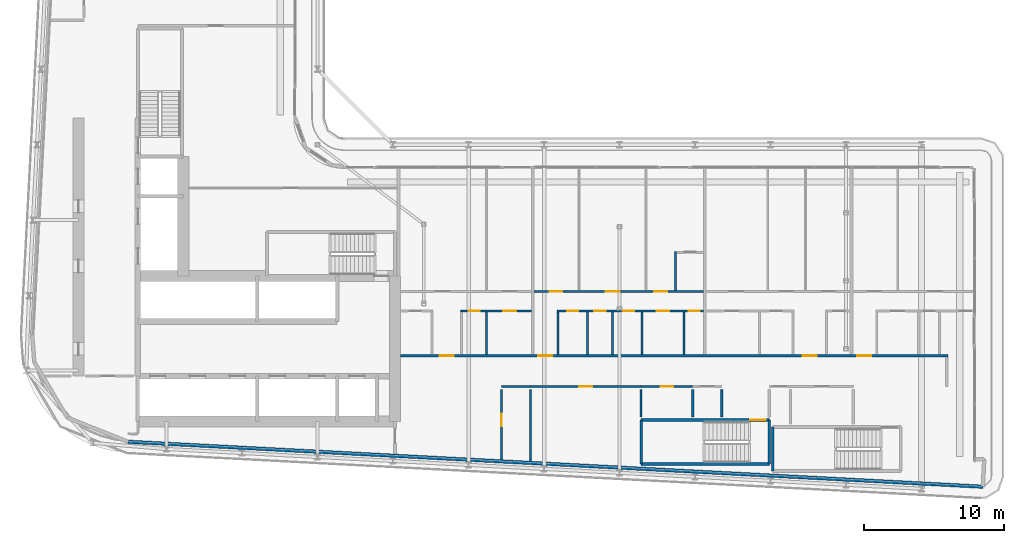
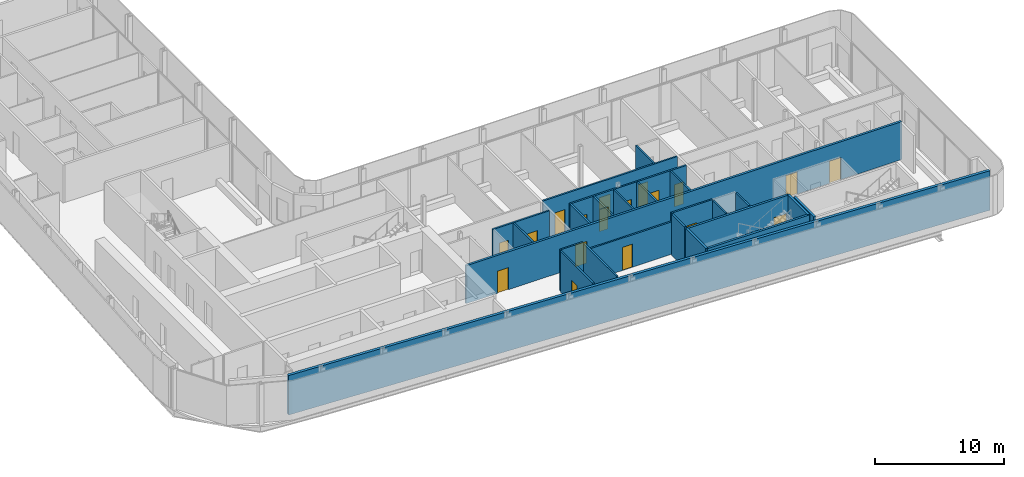
# One storey, part 16 of 29: 25 walls, 18 doors, 18 openings.
"""IFC4 building model written with IfcOpenShell, lengths in metres."""

from ifc_helpers import new_model, si_unit, direction, frame, frame_2d, origin, place, context, subcontext, project, spatial, rectangle, extrude, source, transform, mapped, material, layer, layer_set, type_object, element, fill, save


model = new_model("IFC4")

# Units and contexts
model_context = context("Model", 3, precision=1e-05, world=origin(), true_north=direction((0.0, 1.0)))
body_context = subcontext(model_context, "Body", "Model", "MODEL_VIEW")
ifc_project = project(units=[si_unit("LENGTHUNIT", "METRE"), si_unit("AREAUNIT", "SQUARE_METRE"), si_unit("VOLUMEUNIT", "CUBIC_METRE"), si_unit("PLANEANGLEUNIT", "RADIAN"), si_unit("MASSUNIT", "GRAM", prefix="KILO")], contexts=[model_context])

# Site, building, storey
site_placement = place(None, origin())
site = spatial("IfcSite", under=ifc_project, at=site_placement, CompositionType="ELEMENT")
building_placement = place(site_placement, origin())
building = spatial("IfcBuilding", under=site, at=building_placement, Name="Kheshtan School and Residences Tower", CompositionType="ELEMENT")
storey_placement = place(building_placement, frame((0.0, 0.0, 168.199951171875)))
storey = spatial("IfcBuildingStorey", under=building, at=storey_placement, Name="L39", CompositionType="ELEMENT", Elevation=168.199951171875)

# Wall, openings, doors
ifc_material_1 = material(Name="Gypsum board on steel studs with fire boards", Category="steel")
ifc_layer_1 = layer(ifc_material_1, 0.199951171875)
ifc_layer_set_1 = layer_set([ifc_layer_1], Name="Corridor wall 200")
wall_type_1 = type_object("IfcWallType", Name="Corridor wall 200", PredefinedType="PARTITIONING", material=ifc_layer_set_1)
wall_1_placement = place(storey_placement, frame((53.549072265625, 30.5, 0.0), z_axis=(0.0, 0.0, 1.0), x_axis=(1.0, 0.0, 0.0)))
wall_1 = element("IfcWall", 1, at=wall_1_placement, inside=storey, type_object=wall_type_1, Name="Partition L39-037", PredefinedType="PARTITIONING", context=body_context, shape_type="SweptSolid", body=[
    extrude(rectangle(XDim=39.15087890625, YDim=0.199951171875, at=frame_2d((19.575439453125, 0.0))), origin(), (0.0, 0.0, 1.0), 3.60009765625),
])
opening_1_placement = place(wall_1_placement, frame((2.801025390625, 0.0, 0.0)))
opening_1 = element("IfcOpeningElement", 2, at=opening_1_placement, cuts=wall_1, Name="Opening D39-003", PredefinedType="OPENING", context=body_context, shape_type="SweptSolid", body=[
    extrude(rectangle(XDim=1.0, YDim=2.10009765625, at=frame_2d((0.5, 1.050048828125))), frame((0.0, 0.10986328125, 0.0), z_axis=(0.0, -1.0, 0.0), x_axis=(1.0, 0.0, 0.0)), (0.0, 0.0, 1.0), 0.219970703125),
])
opening_2_placement = place(wall_1_placement, frame((9.85107421875, 0.0, 0.0)))
opening_2 = element("IfcOpeningElement", 3, at=opening_2_placement, cuts=wall_1, Name="Opening D39-010", PredefinedType="OPENING", context=body_context, shape_type="SweptSolid", body=[
    extrude(rectangle(XDim=1.0, YDim=2.10009765625, at=frame_2d((0.5, 1.050048828125))), frame((0.0, 0.10986328125, 0.0), z_axis=(0.0, -1.0, 0.0), x_axis=(1.0, 0.0, 0.0)), (0.0, 0.0, 1.0), 0.219970703125),
])
opening_3_placement = place(wall_1_placement, frame((28.7509765625, 0.0, 0.0)))
opening_3 = element("IfcOpeningElement", 4, at=opening_3_placement, cuts=wall_1, Name="Opening D39-019", PredefinedType="OPENING", context=body_context, shape_type="SweptSolid", body=[
    extrude(rectangle(XDim=1.0, YDim=2.10009765625, at=frame_2d((0.5, 1.050048828125))), frame((0.0, 0.10986328125, 0.0), z_axis=(0.0, -1.0, 0.0), x_axis=(1.0, 0.0, 0.0)), (0.0, 0.0, 1.0), 0.219970703125),
])
opening_4_placement = place(wall_1_placement, frame((32.65087890625, 0.0, 0.0)))
opening_4 = element("IfcOpeningElement", 5, at=opening_4_placement, cuts=wall_1, Name="Opening D39-026", PredefinedType="OPENING", context=body_context, shape_type="SweptSolid", body=[
    extrude(rectangle(XDim=1.0, YDim=2.10009765625, at=frame_2d((0.5, 1.050048828125))), frame((0.0, 0.10986328125, 0.0), z_axis=(0.0, -1.0, 0.0), x_axis=(1.0, 0.0, 0.0)), (0.0, 0.0, 1.0), 0.219970703125),
])
ifc_material_2 = material(Name="Steel-framed fire-resisting door leaf", Category="steel")
door_type_1 = type_object("IfcDoorType", Name="Fire door FD30S 1000 x 2100", OperationType="SINGLE_SWING_LEFT", PredefinedType="DOOR", material=ifc_material_2)
shared_shape_1 = source(origin(), body_context, "Body", "SweptSolid", [
    extrude(rectangle(XDim=1.0, YDim=2.10009765625, at=frame_2d((0.5, 1.050048828125))), frame((0.0, 0.02490234375, 0.0), z_axis=(0.0, -1.0, 0.0), x_axis=(1.0, 0.0, 0.0)), (0.0, 0.0, 1.0), 0.050048828125),
])
door_1_placement = place(opening_1_placement, origin())
door_1 = element("IfcDoor", 6, at=door_1_placement, inside=storey, type_object=door_type_1, Name="Door D39-003", OperationType="SINGLE_SWING_RIGHT", OverallHeight=2.10009765625, OverallWidth=1.0, PredefinedType="DOOR", context=body_context, shape_type="MappedRepresentation", body=[
    mapped(shared_shape_1, transform((0.0, 0.0, 0.0), x_axis=(1.0, 0.0, 0.0), y_axis=(0.0, 1.0, 0.0), z_axis=(0.0, 0.0, 1.0), scale=1.0)),
])
fill(opening_1, door_1)
door_2_placement = place(opening_2_placement, origin())
door_2 = element("IfcDoor", 7, at=door_2_placement, inside=storey, type_object=door_type_1, Name="Door D39-010", OperationType="SINGLE_SWING_LEFT", OverallHeight=2.10009765625, OverallWidth=1.0, PredefinedType="DOOR", context=body_context, shape_type="MappedRepresentation", body=[
    mapped(shared_shape_1, transform((0.0, 0.0, 0.0), x_axis=(1.0, 0.0, 0.0), y_axis=(0.0, 1.0, 0.0), z_axis=(0.0, 0.0, 1.0), scale=1.0)),
])
fill(opening_2, door_2)
door_3_placement = place(opening_3_placement, origin())
door_3 = element("IfcDoor", 8, at=door_3_placement, inside=storey, type_object=door_type_1, Name="Door D39-019", OperationType="SINGLE_SWING_RIGHT", OverallHeight=2.10009765625, OverallWidth=1.0, PredefinedType="DOOR", context=body_context, shape_type="MappedRepresentation", body=[
    mapped(shared_shape_1, transform((0.0, 0.0, 0.0), x_axis=(1.0, 0.0, 0.0), y_axis=(0.0, 1.0, 0.0), z_axis=(0.0, 0.0, 1.0), scale=1.0)),
])
fill(opening_3, door_3)
door_4_placement = place(opening_4_placement, origin())
door_4 = element("IfcDoor", 9, at=door_4_placement, inside=storey, type_object=door_type_1, Name="Door D39-026", OperationType="SINGLE_SWING_LEFT", OverallHeight=2.10009765625, OverallWidth=1.0, PredefinedType="DOOR", context=body_context, shape_type="MappedRepresentation", body=[
    mapped(shared_shape_1, transform((0.0, 0.0, 0.0), x_axis=(1.0, 0.0, 0.0), y_axis=(0.0, 1.0, 0.0), z_axis=(0.0, 0.0, 1.0), scale=1.0)),
])
fill(opening_4, door_4)

# Walls
ifc_material_3 = material(Name="Concrete C40/50 with ceramic cladding and mineral wool insulation", Category="concrete")
ifc_layer_2 = layer(ifc_material_3, 0.25)
ifc_layer_set_2 = layer_set([ifc_layer_2], Name="External wall 250 ceramic clad")
wall_type_2 = type_object("IfcWallType", Name="External wall 250 ceramic clad", PredefinedType="SOLIDWALL", material=ifc_layer_set_2)
wall_2_placement = place(storey_placement, frame((95.18603515625, 21.134033203125, 0.0), z_axis=(0.0, 0.0, 1.0), x_axis=(-0.998617201448, 0.052570761569, 0.0)))
element("IfcWall", 10, at=wall_2_placement, inside=storey, type_object=wall_type_2, Name="External wall L39 16", PredefinedType="SOLIDWALL", context=body_context, shape_type="SweptSolid", body=[
    extrude(rectangle(XDim=61.231689453125, YDim=0.25, at=frame_2d((30.61572265625, 0.0))), origin(), (0.0, 0.0, 1.0), 3.75),
])
ifc_material_4 = material(Name="Fire-board shaft wall system")
ifc_layer_3 = layer(ifc_material_4, 0.14990234375)
ifc_layer_set_3 = layer_set([ifc_layer_3], Name="Service room wall 150")
wall_type_3 = type_object("IfcWallType", Name="Service room wall 150", PredefinedType="PARTITIONING", material=ifc_layer_set_3)
wall_3_placement = place(storey_placement, frame((60.75, 28.300048828125, 0.0), z_axis=(0.0, 0.0, 1.0), x_axis=(1.0, 0.0, 0.0)))
element("IfcWall", 11, at=wall_3_placement, inside=storey, type_object=wall_type_3, Name="Service room wall", PredefinedType="PARTITIONING", context=body_context, shape_type="SweptSolid", body=[
    extrude(rectangle(XDim=2.069091796875, YDim=0.14990234375, at=frame_2d((1.03466796875, 0.0))), origin(), (0.0, 0.0, 1.0), 3.900146484375),
])

# Wall, opening, door
wall_4_placement = place(storey_placement, frame((60.75, 23.074951171875, 0.0), z_axis=(0.0, 0.0, 1.0), x_axis=(0.0, 1.0, 0.0)))
wall_4 = element("IfcWall", 12, at=wall_4_placement, inside=storey, type_object=wall_type_3, Name="Service room wall", PredefinedType="PARTITIONING", context=body_context, shape_type="SweptSolid", body=[
    extrude(rectangle(XDim=5.030029296875, YDim=0.14990234375, at=frame_2d((2.51513671875, 0.0))), origin(), (0.0, 0.0, 1.0), 3.900146484375),
])
opening_5_placement = place(wall_4_placement, frame((2.386962890625, 0.0, 0.0)))
opening_5 = element("IfcOpeningElement", 13, at=opening_5_placement, cuts=wall_4, Name="Opening SR90", PredefinedType="OPENING", context=body_context, shape_type="SweptSolid", body=[
    extrude(rectangle(XDim=0.89990234375, YDim=2.199951171875, at=frame_2d((0.449951171875, 1.10009765625))), frame((0.0, 0.0849609375, 0.0), z_axis=(0.0, -1.0, 0.0), x_axis=(1.0, 0.0, 0.0)), (0.0, 0.0, 1.0), 0.169921875),
])
ifc_material_5 = material(Name="Steel door leaf, galvanised", Category="steel")
door_type_2 = type_object("IfcDoorType", Name="Service room door 900 steel 90 min", OperationType="SINGLE_SWING_LEFT", PredefinedType="DOOR", material=ifc_material_5)
shared_shape_2 = source(origin(), body_context, "Body", "SweptSolid", [
    extrude(rectangle(XDim=0.89990234375, YDim=2.199951171875, at=frame_2d((0.449951171875, 1.10009765625))), frame((0.0, 0.02490234375, 0.0), z_axis=(0.0, -1.0, 0.0), x_axis=(1.0, 0.0, 0.0)), (0.0, 0.0, 1.0), 0.050048828125),
])
door_5_placement = place(opening_5_placement, origin())
door_5 = element("IfcDoor", 14, at=door_5_placement, inside=storey, type_object=door_type_2, Name="Service room door", OperationType="SINGLE_SWING_LEFT", OverallHeight=2.199951171875, OverallWidth=0.89990234375, PredefinedType="DOOR", context=body_context, shape_type="MappedRepresentation", body=[
    mapped(shared_shape_2, transform((0.0, 0.0, 0.0), x_axis=(1.0, 0.0, 0.0), y_axis=(0.0, 1.0, 0.0), z_axis=(0.0, 0.0, 1.0), scale=1.0)),
])
fill(opening_5, door_5)

# Wall
wall_5_placement = place(storey_placement, frame((62.819091796875, 22.966064453125, 0.0), z_axis=(0.0, 0.0, 1.0), x_axis=(0.0, 1.0, 0.0)))
element("IfcWall", 15, at=wall_5_placement, inside=storey, type_object=wall_type_3, Name="Service room wall", PredefinedType="PARTITIONING", context=body_context, shape_type="SweptSolid", body=[
    extrude(rectangle(XDim=5.138916015625, YDim=0.14990234375, at=frame_2d((2.5693359375, 0.0))), origin(), (0.0, 0.0, 1.0), 3.900146484375),
])

# Wall, opening, door
wall_6_placement = place(storey_placement, frame((62.819091796875, 28.300048828125, 0.0), z_axis=(0.0, 0.0, 1.0), x_axis=(1.0, 0.0, 0.0)))
wall_6 = element("IfcWall", 16, at=wall_6_placement, inside=storey, type_object=wall_type_3, Name="Service room wall", PredefinedType="PARTITIONING", context=body_context, shape_type="SweptSolid", body=[
    extrude(rectangle(XDim=7.930908203125, YDim=0.14990234375, at=frame_2d((3.96533203125, 0.0))), origin(), (0.0, 0.0, 1.0), 3.072021484375),
])
opening_6_placement = place(wall_6_placement, frame((3.514892578125, 0.0, 0.0)))
opening_6 = element("IfcOpeningElement", 17, at=opening_6_placement, cuts=wall_6, Name="Opening SR90", PredefinedType="OPENING", context=body_context, shape_type="SweptSolid", body=[
    extrude(rectangle(XDim=0.89990234375, YDim=2.199951171875, at=frame_2d((0.449951171875, 1.10009765625))), frame((0.0, 0.0849609375, 0.0), z_axis=(0.0, -1.0, 0.0), x_axis=(1.0, 0.0, 0.0)), (0.0, 0.0, 1.0), 0.169921875),
])
door_6_placement = place(opening_6_placement, origin())
door_6 = element("IfcDoor", 18, at=door_6_placement, inside=storey, type_object=door_type_2, Name="Service room door", OperationType="SINGLE_SWING_RIGHT", OverallHeight=2.199951171875, OverallWidth=0.89990234375, PredefinedType="DOOR", context=body_context, shape_type="MappedRepresentation", body=[
    mapped(shared_shape_2, transform((0.0, 0.0, 0.0), x_axis=(1.0, 0.0, 0.0), y_axis=(0.0, 1.0, 0.0), z_axis=(0.0, 0.0, 1.0), scale=1.0)),
])
fill(opening_6, door_6)

# Wall
wall_7_placement = place(storey_placement, frame((70.75, 26.1201171875, 0.0), z_axis=(0.0, 0.0, 1.0), x_axis=(0.0, 1.0, 0.0)))
element("IfcWall", 19, at=wall_7_placement, inside=storey, type_object=wall_type_3, Name="Service room wall", PredefinedType="PARTITIONING", context=body_context, shape_type="SweptSolid", body=[
    extrude(rectangle(XDim=1.98486328125, YDim=0.14990234375, at=frame_2d((0.992431640625, 0.0))), origin(), (0.0, 0.0, 1.0), 3.900146484375),
])

# Wall, opening, door
wall_8_placement = place(storey_placement, frame((70.75, 28.300048828125, 0.0), z_axis=(0.0, 0.0, 1.0), x_axis=(1.0, 0.0, 0.0)))
wall_8 = element("IfcWall", 20, at=wall_8_placement, inside=storey, type_object=wall_type_3, Name="Service room wall", PredefinedType="PARTITIONING", context=body_context, shape_type="SweptSolid", body=[
    extrude(rectangle(XDim=3.68603515625, YDim=0.14990234375, at=frame_2d((1.843017578125, 0.0))), origin(), (0.0, 0.0, 1.0), 3.900146484375),
])
opening_7_placement = place(wall_8_placement, frame((1.39306640625, 0.0, 0.0)))
opening_7 = element("IfcOpeningElement", 21, at=opening_7_placement, cuts=wall_8, Name="Opening SR90", PredefinedType="OPENING", context=body_context, shape_type="SweptSolid", body=[
    extrude(rectangle(XDim=0.89990234375, YDim=2.199951171875, at=frame_2d((0.449951171875, 1.10009765625))), frame((0.0, 0.0849609375, 0.0), z_axis=(0.0, -1.0, 0.0), x_axis=(1.0, 0.0, 0.0)), (0.0, 0.0, 1.0), 0.169921875),
])
door_7_placement = place(opening_7_placement, origin())
door_7 = element("IfcDoor", 22, at=door_7_placement, inside=storey, type_object=door_type_2, Name="Service room door", OperationType="SINGLE_SWING_LEFT", OverallHeight=2.199951171875, OverallWidth=0.89990234375, PredefinedType="DOOR", context=body_context, shape_type="MappedRepresentation", body=[
    mapped(shared_shape_2, transform((0.0, 0.0, 0.0), x_axis=(1.0, 0.0, 0.0), y_axis=(0.0, 1.0, 0.0), z_axis=(0.0, 0.0, 1.0), scale=1.0)),
])
fill(opening_7, door_7)

# Walls
for number, where, z_axis, x_axis, name in (
    (23, (74.43603515625, 26.1201171875, 0.0), (0.0, 0.0, 1.0), (0.0, 1.0, 0.0), "Service room wall"),
    (24, (76.510009765625, 26.1201171875, 0.0), (0.0, 0.0, 1.0), (0.0, 1.0, 0.0), "Service room wall"),
):
    element("IfcWall", number, at=place(storey_placement, frame(where, z_axis=z_axis, x_axis=x_axis)), inside=storey, type_object=wall_type_3, Name=name, PredefinedType="PARTITIONING", context=body_context, shape_type="SweptSolid", body=[
        extrude(rectangle(XDim=1.98486328125, YDim=0.14990234375, at=frame_2d((0.992431640625, 0.0))), origin(), (0.0, 0.0, 1.0), 3.900146484375),
    ])
ifc_material_6 = material(Name="Concrete C40/50", Category="concrete")
ifc_layer_4 = layer(ifc_material_6, 0.199951171875)
ifc_layer_set_4 = layer_set([ifc_layer_4], Name="Stair enclosure wall 200 Concrete C40/50")
wall_type_4 = type_object("IfcWallType", Name="Stair enclosure wall 200 Concrete C40/50", PredefinedType="SHEAR", material=ifc_layer_set_4)
wall_9_placement = place(storey_placement, frame((80.159912109375, 22.25, 0.0), z_axis=(0.0, 0.0, 1.0), x_axis=(0.0, 1.0, 0.0)))
element("IfcWall", 25, at=wall_9_placement, inside=storey, type_object=wall_type_4, Name="Stair enclosure wall ST4", PredefinedType="SHEAR", context=body_context, shape_type="SweptSolid", body=[
    extrude(rectangle(XDim=3.14990234375, YDim=0.199951171875, at=frame_2d((1.574951171875, 0.0))), origin(), (0.0, 0.0, 1.0), 3.900146484375),
])
wall_10_placement = place(storey_placement, frame((70.75, 22.75, 0.0), z_axis=(0.0, 0.0, 1.0), x_axis=(1.0, 0.0, 0.0)))
element("IfcWall", 26, at=wall_10_placement, inside=storey, type_object=wall_type_4, Name="Stair enclosure wall ST5", PredefinedType="SHEAR", context=body_context, shape_type="SweptSolid", body=[
    extrude(rectangle(XDim=9.159912109375, YDim=0.199951171875, at=frame_2d((4.580078125, 0.0))), origin(), (0.0, 0.0, 1.0), 3.900146484375),
])

# Wall, opening, door
wall_11_placement = place(storey_placement, frame((70.75, 25.89990234375, 0.0), z_axis=(0.0, 0.0, 1.0), x_axis=(1.0, 0.0, 0.0)))
wall_11 = element("IfcWall", 27, at=wall_11_placement, inside=storey, type_object=wall_type_4, Name="Stair enclosure wall ST5", PredefinedType="SHEAR", context=body_context, shape_type="SweptSolid", body=[
    extrude(rectangle(XDim=9.159912109375, YDim=0.199951171875, at=frame_2d((4.580078125, 0.0))), origin(), (0.0, 0.0, 1.0), 3.900146484375),
])
opening_8_placement = place(wall_11_placement, frame((7.81005859375, 0.0, 0.0)))
opening_8 = element("IfcOpeningElement", 28, at=opening_8_placement, cuts=wall_11, Name="Opening ST5D", PredefinedType="OPENING", context=body_context, shape_type="SweptSolid", body=[
    extrude(rectangle(XDim=1.10009765625, YDim=2.199951171875, at=frame_2d((0.550048828125, 1.10009765625))), frame((0.0, 0.10986328125, 0.0), z_axis=(0.0, -1.0, 0.0), x_axis=(1.0, 0.0, 0.0)), (0.0, 0.0, 1.0), 0.219970703125),
])
door_type_3 = type_object("IfcDoorType", Name="Stair door 1100 steel 90 min", OperationType="SINGLE_SWING_LEFT", PredefinedType="DOOR", material=ifc_material_5)
shared_shape_3 = source(origin(), body_context, "Body", "SweptSolid", [
    extrude(rectangle(XDim=1.10009765625, YDim=2.199951171875, at=frame_2d((0.550048828125, 1.10009765625))), frame((0.0, 0.02490234375, 0.0), z_axis=(0.0, -1.0, 0.0), x_axis=(1.0, 0.0, 0.0)), (0.0, 0.0, 1.0), 0.050048828125),
])
door_8_placement = place(opening_8_placement, origin())
door_8 = element("IfcDoor", 29, at=door_8_placement, inside=storey, type_object=door_type_3, Name="Stair ST5 door", OperationType="SINGLE_SWING_LEFT", OverallHeight=2.199951171875, OverallWidth=1.10009765625, PredefinedType="DOOR", context=body_context, shape_type="MappedRepresentation", body=[
    mapped(shared_shape_3, transform((0.0, 0.0, 0.0), x_axis=(1.0, 0.0, 0.0), y_axis=(0.0, 1.0, 0.0), z_axis=(0.0, 0.0, 1.0), scale=1.0)),
])
fill(opening_8, door_8)

# Walls
for number, where, z_axis, x_axis, name in (
    (30, (70.75, 22.75, 0.0), (0.0, 0.0, 1.0), (0.0, 1.0, 0.0), "Stair enclosure wall ST5"),
    (31, (79.909912109375, 22.75, 0.0), (0.0, 0.0, 1.0), (0.0, 1.0, 0.0), "Stair enclosure wall ST5"),
):
    element("IfcWall", number, at=place(storey_placement, frame(where, z_axis=z_axis, x_axis=x_axis)), inside=storey, type_object=wall_type_4, Name=name, PredefinedType="SHEAR", context=body_context, shape_type="SweptSolid", body=[
        extrude(rectangle(XDim=3.14990234375, YDim=0.199951171875, at=frame_2d((1.574951171875, 0.0))), origin(), (0.0, 0.0, 1.0), 3.900146484375),
    ])

# Wall, openings, doors
ifc_material_7 = material(Name="Moisture-resistant gypsum board on steel studs", Category="steel")
ifc_layer_5 = layer(ifc_material_7, 0.14990234375)
ifc_layer_set_5 = layer_set([ifc_layer_5], Name="Wet-room partition 150")
wall_type_5 = type_object("IfcWallType", Name="Wet-room partition 150", PredefinedType="PARTITIONING", material=ifc_layer_set_5)
wall_12_placement = place(storey_placement, frame((57.824951171875, 33.699951171875, 0.0), z_axis=(0.0, 0.0, 1.0), x_axis=(1.0, 0.0, 0.0)))
wall_12 = element("IfcWall", 32, at=wall_12_placement, inside=storey, type_object=wall_type_5, Name="Partition L39-041", PredefinedType="PARTITIONING", context=body_context, shape_type="SweptSolid", body=[
    extrude(rectangle(XDim=5.074951171875, YDim=0.14990234375, at=frame_2d((2.53759765625, 0.0))), origin(), (0.0, 0.0, 1.0), 3.60009765625),
])
opening_9_placement = place(wall_12_placement, frame((3.074951171875, 0.0, 0.0)))
opening_9 = element("IfcOpeningElement", 33, at=opening_9_placement, cuts=wall_12, Name="Opening D39-004", PredefinedType="OPENING", context=body_context, shape_type="SweptSolid", body=[
    extrude(rectangle(XDim=0.89990234375, YDim=2.10009765625, at=frame_2d((0.449951171875, 1.050048828125))), frame((0.0, 0.0849609375, 0.0), z_axis=(0.0, -1.0, 0.0), x_axis=(1.0, 0.0, 0.0)), (0.0, 0.0, 1.0), 0.169921875),
])
opening_10_placement = place(wall_12_placement, frame((0.574951171875, 0.0, 0.0)))
opening_10 = element("IfcOpeningElement", 34, at=opening_10_placement, cuts=wall_12, Name="Opening D39-006", PredefinedType="OPENING", context=body_context, shape_type="SweptSolid", body=[
    extrude(rectangle(XDim=0.800048828125, YDim=2.10009765625, at=frame_2d((0.39990234375, 1.050048828125))), frame((0.0, 0.0849609375, 0.0), z_axis=(0.0, -1.0, 0.0), x_axis=(1.0, 0.0, 0.0)), (0.0, 0.0, 1.0), 0.169921875),
])
ifc_material_8 = material(Name="Veneered timber door leaf", Category="wood")
door_type_4 = type_object("IfcDoorType", Name="Door 800 x 2100", OperationType="SINGLE_SWING_LEFT", PredefinedType="DOOR", material=ifc_material_8)
shared_shape_4 = source(origin(), body_context, "Body", "SweptSolid", [
    extrude(rectangle(XDim=0.800048828125, YDim=2.10009765625, at=frame_2d((0.39990234375, 1.050048828125))), frame((0.0, 0.02490234375, 0.0), z_axis=(0.0, -1.0, 0.0), x_axis=(1.0, 0.0, 0.0)), (0.0, 0.0, 1.0), 0.050048828125),
])
door_9_placement = place(opening_10_placement, origin())
door_9 = element("IfcDoor", 35, at=door_9_placement, inside=storey, type_object=door_type_4, Name="Door D39-006", OperationType="SINGLE_SWING_LEFT", OverallHeight=2.10009765625, OverallWidth=0.800048828125, PredefinedType="DOOR", context=body_context, shape_type="MappedRepresentation", body=[
    mapped(shared_shape_4, transform((0.0, 0.0, 0.0), x_axis=(1.0, 0.0, 0.0), y_axis=(0.0, 1.0, 0.0), z_axis=(0.0, 0.0, 1.0), scale=1.0)),
])
fill(opening_10, door_9)
door_type_5 = type_object("IfcDoorType", Name="Door 900 x 2100", OperationType="SINGLE_SWING_LEFT", PredefinedType="DOOR", material=ifc_material_8)
shared_shape_5 = source(origin(), body_context, "Body", "SweptSolid", [
    extrude(rectangle(XDim=0.89990234375, YDim=2.10009765625, at=frame_2d((0.449951171875, 1.050048828125))), frame((0.0, 0.02490234375, 0.0), z_axis=(0.0, -1.0, 0.0), x_axis=(1.0, 0.0, 0.0)), (0.0, 0.0, 1.0), 0.050048828125),
])
door_10_placement = place(opening_9_placement, origin())
door_10 = element("IfcDoor", 36, at=door_10_placement, inside=storey, type_object=door_type_5, Name="Door D39-004", OperationType="SINGLE_SWING_RIGHT", OverallHeight=2.10009765625, OverallWidth=0.89990234375, PredefinedType="DOOR", context=body_context, shape_type="MappedRepresentation", body=[
    mapped(shared_shape_5, transform((0.0, 0.0, 0.0), x_axis=(1.0, 0.0, 0.0), y_axis=(0.0, 1.0, 0.0), z_axis=(0.0, 0.0, 1.0), scale=1.0)),
])
fill(opening_9, door_10)

# Wall
wall_13_placement = place(storey_placement, frame((59.699951171875, 30.60009765625, 0.0), z_axis=(0.0, 0.0, 1.0), x_axis=(0.0, 1.0, 0.0)))
element("IfcWall", 37, at=wall_13_placement, inside=storey, type_object=wall_type_5, Name="Partition L39-043", PredefinedType="PARTITIONING", context=body_context, shape_type="SweptSolid", body=[
    extrude(rectangle(XDim=3.02490234375, YDim=0.14990234375, at=frame_2d((1.512451171875, 0.0))), origin(), (0.0, 0.0, 1.0), 3.60009765625),
])

# Wall, openings, doors
wall_14_placement = place(storey_placement, frame((63.10009765625, 35.10009765625, 0.0), z_axis=(0.0, 0.0, 1.0), x_axis=(1.0, 0.0, 0.0)))
wall_14 = element("IfcWall", 38, at=wall_14_placement, inside=storey, type_object=wall_type_5, Name="Partition L39-046", PredefinedType="PARTITIONING", context=body_context, shape_type="SweptSolid", body=[
    extrude(rectangle(XDim=12.099853515625, YDim=0.14990234375, at=frame_2d((6.0498046875, 0.0))), origin(), (0.0, 0.0, 1.0), 3.60009765625),
])
opening_11_placement = place(wall_14_placement, frame((1.10009765625, 0.0, 0.0)))
opening_11 = element("IfcOpeningElement", 39, at=opening_11_placement, cuts=wall_14, Name="Opening D39-008", PredefinedType="OPENING", context=body_context, shape_type="SweptSolid", body=[
    extrude(rectangle(XDim=0.89990234375, YDim=2.10009765625, at=frame_2d((0.449951171875, 1.050048828125))), frame((0.0, 0.0849609375, 0.0), z_axis=(0.0, -1.0, 0.0), x_axis=(1.0, 0.0, 0.0)), (0.0, 0.0, 1.0), 0.169921875),
])
opening_12_placement = place(wall_14_placement, frame((5.10009765625, 0.0, 0.0)))
opening_12 = element("IfcOpeningElement", 40, at=opening_12_placement, cuts=wall_14, Name="Opening D39-013", PredefinedType="OPENING", context=body_context, shape_type="SweptSolid", body=[
    extrude(rectangle(XDim=1.0, YDim=2.10009765625, at=frame_2d((0.5, 1.050048828125))), frame((0.0, 0.0849609375, 0.0), z_axis=(0.0, -1.0, 0.0), x_axis=(1.0, 0.0, 0.0)), (0.0, 0.0, 1.0), 0.169921875),
])
opening_13_placement = place(wall_14_placement, frame((8.60009765625, 0.0, 0.0)))
opening_13 = element("IfcOpeningElement", 41, at=opening_13_placement, cuts=wall_14, Name="Opening D39-014", PredefinedType="OPENING", context=body_context, shape_type="SweptSolid", body=[
    extrude(rectangle(XDim=0.89990234375, YDim=2.10009765625, at=frame_2d((0.449951171875, 1.050048828125))), frame((0.0, 0.0849609375, 0.0), z_axis=(0.0, -1.0, 0.0), x_axis=(1.0, 0.0, 0.0)), (0.0, 0.0, 1.0), 0.169921875),
])
door_type_6 = type_object("IfcDoorType", Name="Door 1000 x 2100", OperationType="SINGLE_SWING_LEFT", PredefinedType="DOOR", material=ifc_material_8)
shared_shape_6 = source(origin(), body_context, "Body", "SweptSolid", [
    extrude(rectangle(XDim=1.0, YDim=2.10009765625, at=frame_2d((0.5, 1.050048828125))), frame((0.0, 0.02490234375, 0.0), z_axis=(0.0, -1.0, 0.0), x_axis=(1.0, 0.0, 0.0)), (0.0, 0.0, 1.0), 0.050048828125),
])
door_11_placement = place(opening_12_placement, origin())
door_11 = element("IfcDoor", 42, at=door_11_placement, inside=storey, type_object=door_type_6, Name="Door D39-013", OperationType="SINGLE_SWING_RIGHT", OverallHeight=2.10009765625, OverallWidth=1.0, PredefinedType="DOOR", context=body_context, shape_type="MappedRepresentation", body=[
    mapped(shared_shape_6, transform((0.0, 0.0, 0.0), x_axis=(1.0, 0.0, 0.0), y_axis=(0.0, 1.0, 0.0), z_axis=(0.0, 0.0, 1.0), scale=1.0)),
])
fill(opening_12, door_11)
door_12_placement = place(opening_11_placement, origin())
door_12 = element("IfcDoor", 43, at=door_12_placement, inside=storey, type_object=door_type_5, Name="Door D39-008", OperationType="SINGLE_SWING_RIGHT", OverallHeight=2.10009765625, OverallWidth=0.89990234375, PredefinedType="DOOR", context=body_context, shape_type="MappedRepresentation", body=[
    mapped(shared_shape_5, transform((0.0, 0.0, 0.0), x_axis=(1.0, 0.0, 0.0), y_axis=(0.0, 1.0, 0.0), z_axis=(0.0, 0.0, 1.0), scale=1.0)),
])
fill(opening_11, door_12)
door_13_placement = place(opening_13_placement, origin())
door_13 = element("IfcDoor", 44, at=door_13_placement, inside=storey, type_object=door_type_5, Name="Door D39-014", OperationType="SINGLE_SWING_LEFT", OverallHeight=2.10009765625, OverallWidth=0.89990234375, PredefinedType="DOOR", context=body_context, shape_type="MappedRepresentation", body=[
    mapped(shared_shape_5, transform((0.0, 0.0, 0.0), x_axis=(1.0, 0.0, 0.0), y_axis=(0.0, 1.0, 0.0), z_axis=(0.0, 0.0, 1.0), scale=1.0)),
])
fill(opening_13, door_13)

wall_15_placement = place(storey_placement, frame((64.72509765625, 33.699951171875, 0.0), z_axis=(0.0, 0.0, 1.0), x_axis=(1.0, 0.0, 0.0)))
wall_15 = element("IfcWall", 45, at=wall_15_placement, inside=storey, type_object=wall_type_5, Name="Partition L39-047", PredefinedType="PARTITIONING", context=body_context, shape_type="SweptSolid", body=[
    extrude(rectangle(XDim=10.474853515625, YDim=0.14990234375, at=frame_2d((5.2373046875, 0.0))), origin(), (0.0, 0.0, 1.0), 3.60009765625),
])
opening_14_placement = place(wall_15_placement, frame((0.72509765625, 0.0, 0.0)))
opening_14 = element("IfcOpeningElement", 46, at=opening_14_placement, cuts=wall_15, Name="Opening D39-007", PredefinedType="OPENING", context=body_context, shape_type="SweptSolid", body=[
    extrude(rectangle(XDim=0.800048828125, YDim=2.10009765625, at=frame_2d((0.39990234375, 1.050048828125))), frame((0.0, 0.0849609375, 0.0), z_axis=(0.0, -1.0, 0.0), x_axis=(1.0, 0.0, 0.0)), (0.0, 0.0, 1.0), 0.169921875),
])
opening_15_placement = place(wall_15_placement, frame((7.125, 0.0, 0.0)))
opening_15 = element("IfcOpeningElement", 47, at=opening_15_placement, cuts=wall_15, Name="Opening D39-011", PredefinedType="OPENING", context=body_context, shape_type="SweptSolid", body=[
    extrude(rectangle(XDim=0.89990234375, YDim=2.10009765625, at=frame_2d((0.449951171875, 1.050048828125))), frame((0.0, 0.0849609375, 0.0), z_axis=(0.0, -1.0, 0.0), x_axis=(1.0, 0.0, 0.0)), (0.0, 0.0, 1.0), 0.169921875),
])
opening_16_placement = place(wall_15_placement, frame((4.72509765625, 0.0, 0.0)))
opening_16 = element("IfcOpeningElement", 48, at=opening_16_placement, cuts=wall_15, Name="Opening D39-012", PredefinedType="OPENING", context=body_context, shape_type="SweptSolid", body=[
    extrude(rectangle(XDim=0.800048828125, YDim=2.10009765625, at=frame_2d((0.39990234375, 1.050048828125))), frame((0.0, 0.0849609375, 0.0), z_axis=(0.0, -1.0, 0.0), x_axis=(1.0, 0.0, 0.0)), (0.0, 0.0, 1.0), 0.169921875),
])
opening_17_placement = place(wall_15_placement, frame((2.675048828125, 0.0, 0.0)))
opening_17 = element("IfcOpeningElement", 49, at=opening_17_placement, cuts=wall_15, Name="Opening D39-015", PredefinedType="OPENING", context=body_context, shape_type="SweptSolid", body=[
    extrude(rectangle(XDim=0.800048828125, YDim=2.10009765625, at=frame_2d((0.39990234375, 1.050048828125))), frame((0.0, 0.0849609375, 0.0), z_axis=(0.0, -1.0, 0.0), x_axis=(1.0, 0.0, 0.0)), (0.0, 0.0, 1.0), 0.169921875),
])
opening_18_placement = place(wall_15_placement, frame((9.425048828125, 0.0, 0.0)))
opening_18 = element("IfcOpeningElement", 50, at=opening_18_placement, cuts=wall_15, Name="Opening D39-016", PredefinedType="OPENING", context=body_context, shape_type="SweptSolid", body=[
    extrude(rectangle(XDim=0.800048828125, YDim=2.10009765625, at=frame_2d((0.39990234375, 1.050048828125))), frame((0.0, 0.0849609375, 0.0), z_axis=(0.0, -1.0, 0.0), x_axis=(1.0, 0.0, 0.0)), (0.0, 0.0, 1.0), 0.169921875),
])
door_14_placement = place(opening_14_placement, origin())
door_14 = element("IfcDoor", 51, at=door_14_placement, inside=storey, type_object=door_type_4, Name="Door D39-007", OperationType="SINGLE_SWING_RIGHT", OverallHeight=2.10009765625, OverallWidth=0.800048828125, PredefinedType="DOOR", context=body_context, shape_type="MappedRepresentation", body=[
    mapped(shared_shape_4, transform((0.0, 0.0, 0.0), x_axis=(1.0, 0.0, 0.0), y_axis=(0.0, 1.0, 0.0), z_axis=(0.0, 0.0, 1.0), scale=1.0)),
])
fill(opening_14, door_14)
door_15_placement = place(opening_16_placement, origin())
door_15 = element("IfcDoor", 52, at=door_15_placement, inside=storey, type_object=door_type_4, Name="Door D39-012", OperationType="SINGLE_SWING_LEFT", OverallHeight=2.10009765625, OverallWidth=0.800048828125, PredefinedType="DOOR", context=body_context, shape_type="MappedRepresentation", body=[
    mapped(shared_shape_4, transform((0.0, 0.0, 0.0), x_axis=(1.0, 0.0, 0.0), y_axis=(0.0, 1.0, 0.0), z_axis=(0.0, 0.0, 1.0), scale=1.0)),
])
fill(opening_16, door_15)
door_16_placement = place(opening_17_placement, origin())
door_16 = element("IfcDoor", 53, at=door_16_placement, inside=storey, type_object=door_type_4, Name="Door D39-015", OperationType="SINGLE_SWING_RIGHT", OverallHeight=2.10009765625, OverallWidth=0.800048828125, PredefinedType="DOOR", context=body_context, shape_type="MappedRepresentation", body=[
    mapped(shared_shape_4, transform((0.0, 0.0, 0.0), x_axis=(1.0, 0.0, 0.0), y_axis=(0.0, 1.0, 0.0), z_axis=(0.0, 0.0, 1.0), scale=1.0)),
])
fill(opening_17, door_16)
door_17_placement = place(opening_18_placement, origin())
door_17 = element("IfcDoor", 54, at=door_17_placement, inside=storey, type_object=door_type_4, Name="Door D39-016", OperationType="SINGLE_SWING_LEFT", OverallHeight=2.10009765625, OverallWidth=0.800048828125, PredefinedType="DOOR", context=body_context, shape_type="MappedRepresentation", body=[
    mapped(shared_shape_4, transform((0.0, 0.0, 0.0), x_axis=(1.0, 0.0, 0.0), y_axis=(0.0, 1.0, 0.0), z_axis=(0.0, 0.0, 1.0), scale=1.0)),
])
fill(opening_18, door_17)
door_18_placement = place(opening_15_placement, origin())
door_18 = element("IfcDoor", 55, at=door_18_placement, inside=storey, type_object=door_type_5, Name="Door D39-011", OperationType="SINGLE_SWING_RIGHT", OverallHeight=2.10009765625, OverallWidth=0.89990234375, PredefinedType="DOOR", context=body_context, shape_type="MappedRepresentation", body=[
    mapped(shared_shape_5, transform((0.0, 0.0, 0.0), x_axis=(1.0, 0.0, 0.0), y_axis=(0.0, 1.0, 0.0), z_axis=(0.0, 0.0, 1.0), scale=1.0)),
])
fill(opening_15, door_18)

# Walls
for number, where, z_axis, x_axis, name in (
    (56, (64.800048828125, 30.60009765625, 0.0), (0.0, 0.0, 1.0), (0.0, 1.0, 0.0), "Partition L39-048"),
    (57, (66.89990234375, 30.60009765625, 0.0), (0.0, 0.0, 1.0), (0.0, 1.0, 0.0), "Partition L39-050"),
    (58, (68.699951171875, 30.60009765625, 0.0), (0.0, 0.0, 1.0), (0.0, 1.0, 0.0), "Partition L39-051"),
    (59, (70.800048828125, 30.60009765625, 0.0), (0.0, 0.0, 1.0), (0.0, 1.0, 0.0), "Partition L39-052"),
):
    element("IfcWall", number, at=place(storey_placement, frame(where, z_axis=z_axis, x_axis=x_axis)), inside=storey, type_object=wall_type_5, Name=name, PredefinedType="PARTITIONING", context=body_context, shape_type="SweptSolid", body=[
        extrude(rectangle(XDim=3.02490234375, YDim=0.14990234375, at=frame_2d((1.512451171875, 0.0))), origin(), (0.0, 0.0, 1.0), 3.60009765625),
    ])
wall_16_placement = place(storey_placement, frame((73.199951171875, 35.175048828125, 0.0), z_axis=(0.0, 0.0, 1.0), x_axis=(0.0, 1.0, 0.0)))
element("IfcWall", 60, at=wall_16_placement, inside=storey, type_object=wall_type_5, Name="Partition L39-054", PredefinedType="PARTITIONING", context=body_context, shape_type="SweptSolid", body=[
    extrude(rectangle(XDim=2.800048828125, YDim=0.14990234375, at=frame_2d((1.39990234375, 0.0))), origin(), (0.0, 0.0, 1.0), 3.60009765625),
])
wall_17_placement = place(storey_placement, frame((73.800048828125, 30.60009765625, 0.0), z_axis=(0.0, 0.0, 1.0), x_axis=(0.0, 1.0, 0.0)))
element("IfcWall", 61, at=wall_17_placement, inside=storey, type_object=wall_type_5, Name="Partition L39-056", PredefinedType="PARTITIONING", context=body_context, shape_type="SweptSolid", body=[
    extrude(rectangle(XDim=3.02490234375, YDim=0.14990234375, at=frame_2d((1.512451171875, 0.0))), origin(), (0.0, 0.0, 1.0), 3.60009765625),
])

save(model, "model.ifc")
